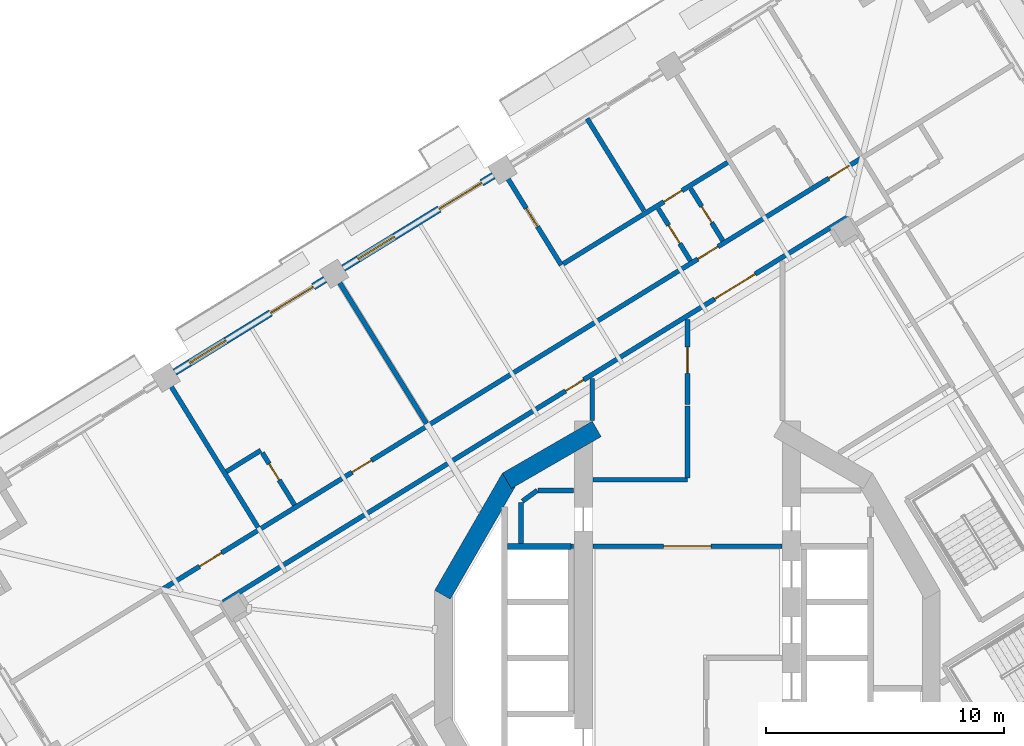
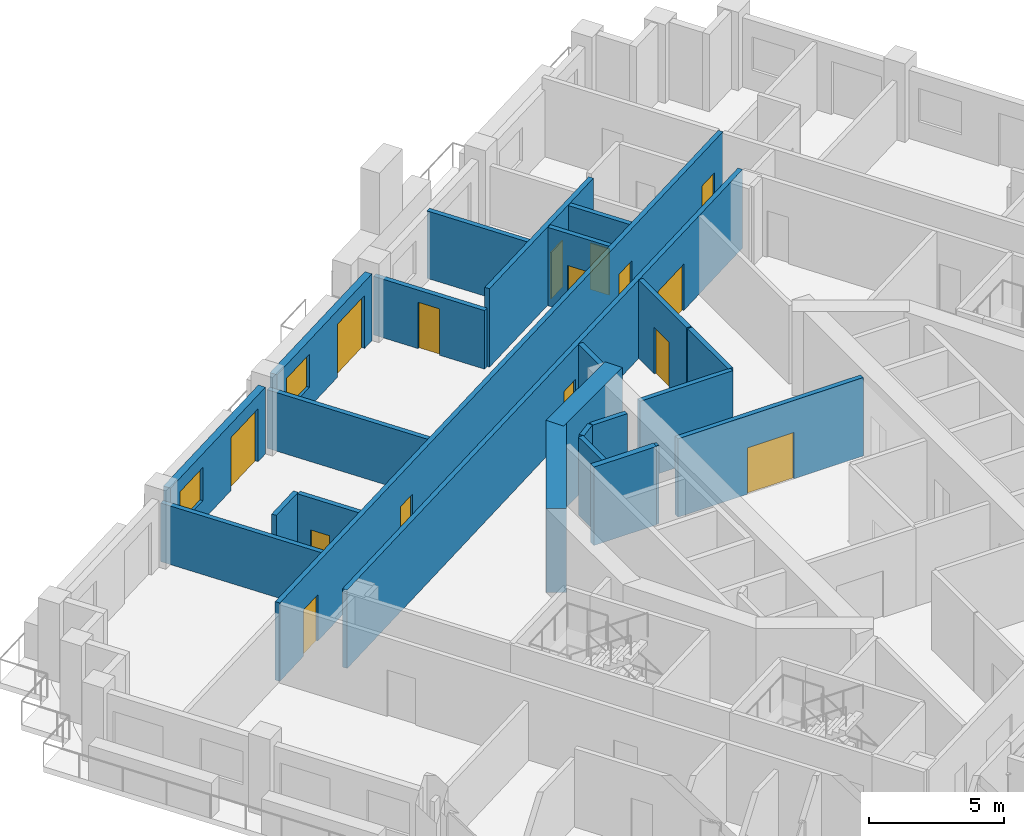
# One storey, part 12 of 22: 25 walls, 15 doors, 2 windows, 17 openings.
"""IFC4 building model written with IfcOpenShell, lengths in metres."""

from ifc_helpers import new_model, si_unit, direction, frame, frame_2d, origin, place, context, subcontext, project, spatial, rectangle, extrude, material, layer, layer_set, type_object, element, fill, save


model = new_model("IFC4")

# Units and contexts
model_context = context("Model", 3, precision=1e-05, world=origin(), true_north=direction((0.0, 1.0)))
body_context = subcontext(model_context, "Body", "Model", "MODEL_VIEW")
ifc_project = project(units=[si_unit("LENGTHUNIT", "METRE"), si_unit("AREAUNIT", "SQUARE_METRE"), si_unit("VOLUMEUNIT", "CUBIC_METRE"), si_unit("PLANEANGLEUNIT", "RADIAN"), si_unit("MASSUNIT", "GRAM", prefix="KILO")], contexts=[model_context])

# Site, building, storey
site_placement = place(None, origin())
site = spatial("IfcSite", under=ifc_project, at=site_placement, CompositionType="ELEMENT")
building_placement = place(site_placement, origin())
building = spatial("IfcBuilding", under=site, at=building_placement, Name="Cantera Rosa Tower", CompositionType="ELEMENT")
storey_placement = place(building_placement, frame((0.0, 0.0, 174.199951171875)))
storey = spatial("IfcBuildingStorey", under=building, at=storey_placement, Name="L38", CompositionType="ELEMENT", Elevation=174.199951171875)

# Wall, opening, door
ifc_material_1 = material(Name="Gypsum board partition")
ifc_layer_1 = layer(ifc_material_1, 0.199951171875)
ifc_layer_set_1 = layer_set([ifc_layer_1], Name="CORRIDOR WALL 200 H3550")
wall_type_1 = type_object("IfcWallType", Name="CORRIDOR WALL 200 H3550", PredefinedType="PARTITIONING", material=ifc_layer_set_1)
wall_1_placement = place(storey_placement, frame((-3.969970703125, 4.699951171875, 0.0), z_axis=(0.0, 0.0, 1.0), x_axis=(1.0, 0.0, 0.0)))
wall_1 = element("IfcWall", 1, at=wall_1_placement, inside=storey, type_object=wall_type_1, Name="CORRIDOR WALL L38-055", PredefinedType="PARTITIONING", context=body_context, shape_type="SweptSolid", body=[
    extrude(rectangle(XDim=7.93994140625, YDim=0.199951171875, at=frame_2d((3.969970703125, 0.0))), origin(), (0.0, 0.0, 1.0), 3.550048828125),
])
opening_1_placement = place(wall_1_placement, frame((2.969970703125, 0.0, 0.0)))
opening_1 = element("IfcOpeningElement", 2, at=opening_1_placement, cuts=wall_1, Name="Opening L38-012", PredefinedType="OPENING", context=body_context, shape_type="SweptSolid", body=[
    extrude(rectangle(XDim=2.0, YDim=2.10009765625, at=frame_2d((1.0, 1.050048828125))), frame((0.0, 0.10986328125, 0.0), z_axis=(0.0, -1.0, 0.0), x_axis=(1.0, 0.0, 0.0)), (0.0, 0.0, 1.0), 0.219970703125),
])
ifc_material_2 = material(Name="Steel S355J2 (EN 10025-2)", Category="steel")
door_type_1 = type_object("IfcDoorType", Name="LOBBY SCREEN DOOR 2000x2100", OperationType="NOTDEFINED", PredefinedType="DOOR", material=ifc_material_2)
door_1_placement = place(opening_1_placement, origin())
door_1 = element("IfcDoor", 3, at=door_1_placement, inside=storey, type_object=door_type_1, Name="DOOR L38-012", OperationType="NOTDEFINED", OverallHeight=2.10009765625, OverallWidth=2.0, PredefinedType="DOOR", context=body_context, shape_type="SweptSolid", body=[
    extrude(rectangle(XDim=2.0, YDim=2.10009765625, at=frame_2d((1.0, 1.050048828125))), frame((0.0, 0.02490234375, 0.0), z_axis=(0.0, -1.0, 0.0), x_axis=(1.0, 0.0, 0.0)), (0.0, 0.0, 1.0), 0.050048828125),
])
fill(opening_1, door_1)

# Walls
wall_2_placement = place(storey_placement, frame((-3.969970703125, 7.5, 0.0), z_axis=(0.0, 0.0, 1.0), x_axis=(1.0, 0.0, 0.0)))
element("IfcWall", 4, at=wall_2_placement, inside=storey, type_object=wall_type_1, Name="CORRIDOR WALL L38-056", PredefinedType="PARTITIONING", context=body_context, shape_type="SweptSolid", body=[
    extrude(rectangle(XDim=3.969970703125, YDim=0.199951171875, at=frame_2d((1.98486328125, 0.0))), origin(), (0.0, 0.0, 1.0), 3.550048828125),
])
wall_3_placement = place(storey_placement, frame((0.0, 7.580078125, 0.0), z_axis=(0.0, 0.0, 1.0), x_axis=(0.0, 1.0, 0.0)))
element("IfcWall", 5, at=wall_3_placement, inside=storey, type_object=wall_type_1, Name="CORRIDOR WALL L38-064", PredefinedType="PARTITIONING", context=body_context, shape_type="SweptSolid", body=[
    extrude(rectangle(XDim=3.01513671875, YDim=0.199951171875, at=frame_2d((1.507568359375, 0.0))), origin(), (0.0, 0.0, 1.0), 3.550048828125),
])

# Wall, opening, door
wall_4_placement = place(storey_placement, frame((0.0, 10.6552734375, 0.0), z_axis=(0.0, 0.0, 1.0), x_axis=(0.0, 1.0, 0.0)))
wall_4 = element("IfcWall", 6, at=wall_4_placement, inside=storey, type_object=wall_type_1, Name="CORRIDOR WALL L38-065", PredefinedType="PARTITIONING", context=body_context, shape_type="SweptSolid", body=[
    extrude(rectangle(XDim=3.57763671875, YDim=0.199951171875, at=frame_2d((1.788818359375, 0.0))), origin(), (0.0, 0.0, 1.0), 3.550048828125),
])
opening_2_placement = place(wall_4_placement, frame((1.31884765625, 0.0, 0.0)))
opening_2 = element("IfcOpeningElement", 7, at=opening_2_placement, cuts=wall_4, Name="Opening L38-016", PredefinedType="OPENING", context=body_context, shape_type="SweptSolid", body=[
    extrude(rectangle(XDim=1.10009765625, YDim=2.10009765625, at=frame_2d((0.550048828125, 1.050048828125))), frame((0.0, 0.10986328125, 0.0), z_axis=(0.0, -1.0, 0.0), x_axis=(1.0, 0.0, 0.0)), (0.0, 0.0, 1.0), 0.219970703125),
])
ifc_material_3 = material(Name="Timber door leaf", Category="wood")
door_type_2 = type_object("IfcDoorType", Name="ROOM DOOR 1100x2100", OperationType="NOTDEFINED", PredefinedType="DOOR", material=ifc_material_3)
door_2_placement = place(opening_2_placement, origin())
door_2 = element("IfcDoor", 8, at=door_2_placement, inside=storey, type_object=door_type_2, Name="DOOR L38-016", OperationType="NOTDEFINED", OverallHeight=2.10009765625, OverallWidth=1.10009765625, PredefinedType="DOOR", context=body_context, shape_type="SweptSolid", body=[
    extrude(rectangle(XDim=1.10009765625, YDim=2.10009765625, at=frame_2d((0.550048828125, 1.050048828125))), frame((0.0, 0.02490234375, 0.0), z_axis=(0.0, -1.0, 0.0), x_axis=(1.0, 0.0, 0.0)), (0.0, 0.0, 1.0), 0.050048828125),
])
fill(opening_2, door_2)

# Wall, openings, doors
wall_5_placement = place(storey_placement, frame((6.76123046875, 18.563232421875, 0.0), z_axis=(0.0, 0.0, 1.0), x_axis=(-0.851115762051, -0.524978056292, 0.0)))
wall_5 = element("IfcWall", 9, at=wall_5_placement, inside=storey, type_object=wall_type_1, Name="CORRIDOR WALL L38-086", PredefinedType="PARTITIONING", context=body_context, shape_type="SweptSolid", body=[
    extrude(rectangle(XDim=30.879638671875, YDim=0.199951171875, at=frame_2d((15.43994140625, 0.0))), origin(), (0.0, 0.0, 1.0), 3.550048828125),
])
opening_3_placement = place(wall_5_placement, frame((13.066650390625, 0.0, 0.0)))
opening_3 = element("IfcOpeningElement", 10, at=opening_3_placement, cuts=wall_5, Name="Opening L38-006", PredefinedType="OPENING", context=body_context, shape_type="SweptSolid", body=[
    extrude(rectangle(XDim=0.89990234375, YDim=2.10009765625, at=frame_2d((0.449951171875, 1.050048828125))), frame((0.0, 0.10986328125, 0.0), z_axis=(0.0, -1.0, 0.0), x_axis=(1.0, 0.0, 0.0)), (0.0, 0.0, 1.0), 0.219970703125),
])
opening_4_placement = place(wall_5_placement, frame((4.59423828125, 0.0, 0.0)))
opening_4 = element("IfcOpeningElement", 11, at=opening_4_placement, cuts=wall_5, Name="Opening L38-011", PredefinedType="OPENING", context=body_context, shape_type="SweptSolid", body=[
    extrude(rectangle(XDim=2.0, YDim=2.10009765625, at=frame_2d((1.0, 1.050048828125))), frame((0.0, 0.10986328125, 0.0), z_axis=(0.0, -1.0, 0.0), x_axis=(1.0, 0.0, 0.0)), (0.0, 0.0, 1.0), 0.219970703125),
])
door_3_placement = place(opening_4_placement, origin())
door_3 = element("IfcDoor", 12, at=door_3_placement, inside=storey, type_object=door_type_1, Name="DOOR L38-011", OperationType="NOTDEFINED", OverallHeight=2.10009765625, OverallWidth=2.0, PredefinedType="DOOR", context=body_context, shape_type="SweptSolid", body=[
    extrude(rectangle(XDim=2.0, YDim=2.10009765625, at=frame_2d((1.0, 1.050048828125))), frame((0.0, 0.02490234375, 0.0), z_axis=(0.0, -1.0, 0.0), x_axis=(1.0, 0.0, 0.0)), (0.0, 0.0, 1.0), 0.050048828125),
])
fill(opening_4, door_3)
ifc_material_4 = material(Name="Timber door leaf", Category="wood")
door_type_3 = type_object("IfcDoorType", Name="SERVICE DOOR 900x2100", OperationType="NOTDEFINED", PredefinedType="DOOR", material=ifc_material_4)
door_4_placement = place(opening_3_placement, origin())
door_4 = element("IfcDoor", 13, at=door_4_placement, inside=storey, type_object=door_type_3, Name="DOOR L38-006", OperationType="NOTDEFINED", OverallHeight=2.10009765625, OverallWidth=0.89990234375, PredefinedType="DOOR", context=body_context, shape_type="SweptSolid", body=[
    extrude(rectangle(XDim=0.89990234375, YDim=2.10009765625, at=frame_2d((0.449951171875, 1.050048828125))), frame((0.0, 0.02490234375, 0.0), z_axis=(0.0, -1.0, 0.0), x_axis=(1.0, 0.0, 0.0)), (0.0, 0.0, 1.0), 0.050048828125),
])
fill(opening_3, door_4)

wall_6_placement = place(storey_placement, frame((7.348388671875, 21.040283203125, 0.0), z_axis=(0.0, 0.0, 1.0), x_axis=(-0.85111711572, -0.524975861662, 0.0)))
wall_6 = element("IfcWall", 14, at=wall_6_placement, inside=storey, type_object=wall_type_1, Name="CORRIDOR WALL L38-090", PredefinedType="PARTITIONING", context=body_context, shape_type="SweptSolid", body=[
    extrude(rectangle(XDim=34.599853515625, YDim=0.199951171875, at=frame_2d((17.2998046875, 0.0))), origin(), (0.0, 0.0, 1.0), 3.550048828125),
])
opening_5_placement = place(wall_6_placement, frame((7.1201171875, 0.0, 0.0)))
opening_5 = element("IfcOpeningElement", 15, at=opening_5_placement, cuts=wall_6, Name="Opening L38-032", PredefinedType="OPENING", context=body_context, shape_type="SweptSolid", body=[
    extrude(rectangle(XDim=1.0, YDim=2.10009765625, at=frame_2d((0.5, 1.050048828125))), frame((0.0, 0.10986328125, 0.0), z_axis=(0.0, -1.0, 0.0), x_axis=(1.0, 0.0, 0.0)), (0.0, 0.0, 1.0), 0.219970703125),
])
opening_6_placement = place(wall_6_placement, frame((24.2451171875, 0.0, 0.0)))
opening_6 = element("IfcOpeningElement", 16, at=opening_6_placement, cuts=wall_6, Name="Opening L38-037", PredefinedType="OPENING", context=body_context, shape_type="SweptSolid", body=[
    extrude(rectangle(XDim=0.949951171875, YDim=2.10009765625, at=frame_2d((0.47509765625, 1.050048828125))), frame((0.0, 0.10986328125, 0.0), z_axis=(0.0, -1.0, 0.0), x_axis=(1.0, 0.0, 0.0)), (0.0, 0.0, 1.0), 0.219970703125),
])
opening_7_placement = place(wall_6_placement, frame((0.64990234375, 0.0, 0.0)))
opening_7 = element("IfcOpeningElement", 17, at=opening_7_placement, cuts=wall_6, Name="Opening L38-039", PredefinedType="OPENING", context=body_context, shape_type="SweptSolid", body=[
    extrude(rectangle(XDim=1.0, YDim=2.10009765625, at=frame_2d((0.5, 1.050048828125))), frame((0.0, 0.10986328125, 0.0), z_axis=(0.0, -1.0, 0.0), x_axis=(1.0, 0.0, 0.0)), (0.0, 0.0, 1.0), 0.219970703125),
])
opening_8_placement = place(wall_6_placement, frame((31.639892578125, 0.0, 0.0)))
opening_8 = element("IfcOpeningElement", 18, at=opening_8_placement, cuts=wall_6, Name="Opening L38-042", PredefinedType="OPENING", context=body_context, shape_type="SweptSolid", body=[
    extrude(rectangle(XDim=1.10009765625, YDim=2.10009765625, at=frame_2d((0.550048828125, 1.050048828125))), frame((0.0, 0.10986328125, 0.0), z_axis=(0.0, -1.0, 0.0), x_axis=(1.0, 0.0, 0.0)), (0.0, 0.0, 1.0), 0.219970703125),
])
ifc_material_5 = material(Name="Timber door leaf", Category="wood")
door_type_4 = type_object("IfcDoorType", Name="ENTRANCE DOOR 1000x2100", OperationType="NOTDEFINED", PredefinedType="DOOR", material=ifc_material_5)
door_5_placement = place(opening_5_placement, origin())
door_5 = element("IfcDoor", 19, at=door_5_placement, inside=storey, type_object=door_type_4, Name="DOOR L38-032", OperationType="NOTDEFINED", OverallHeight=2.10009765625, OverallWidth=1.0, PredefinedType="DOOR", context=body_context, shape_type="SweptSolid", body=[
    extrude(rectangle(XDim=1.0, YDim=2.10009765625, at=frame_2d((0.5, 1.050048828125))), frame((0.0, 0.02490234375, 0.0), z_axis=(0.0, -1.0, 0.0), x_axis=(1.0, 0.0, 0.0)), (0.0, 0.0, 1.0), 0.050048828125),
])
fill(opening_5, door_5)
door_6_placement = place(opening_7_placement, origin())
door_6 = element("IfcDoor", 20, at=door_6_placement, inside=storey, type_object=door_type_4, Name="DOOR L38-039", OperationType="NOTDEFINED", OverallHeight=2.10009765625, OverallWidth=1.0, PredefinedType="DOOR", context=body_context, shape_type="SweptSolid", body=[
    extrude(rectangle(XDim=1.0, YDim=2.10009765625, at=frame_2d((0.5, 1.050048828125))), frame((0.0, 0.02490234375, 0.0), z_axis=(0.0, -1.0, 0.0), x_axis=(1.0, 0.0, 0.0)), (0.0, 0.0, 1.0), 0.050048828125),
])
fill(opening_7, door_6)
door_7_placement = place(opening_8_placement, origin())
door_7 = element("IfcDoor", 21, at=door_7_placement, inside=storey, type_object=door_type_2, Name="DOOR L38-042", OperationType="NOTDEFINED", OverallHeight=2.10009765625, OverallWidth=1.10009765625, PredefinedType="DOOR", context=body_context, shape_type="SweptSolid", body=[
    extrude(rectangle(XDim=1.10009765625, YDim=2.10009765625, at=frame_2d((0.550048828125, 1.050048828125))), frame((0.0, 0.02490234375, 0.0), z_axis=(0.0, -1.0, 0.0), x_axis=(1.0, 0.0, 0.0)), (0.0, 0.0, 1.0), 0.050048828125),
])
fill(opening_8, door_7)
ifc_material_6 = material(Name="Timber door leaf", Category="wood")
door_type_5 = type_object("IfcDoorType", Name="ROOM DOOR 950x2100", OperationType="NOTDEFINED", PredefinedType="DOOR", material=ifc_material_6)
door_8_placement = place(opening_6_placement, origin())
door_8 = element("IfcDoor", 22, at=door_8_placement, inside=storey, type_object=door_type_5, Name="DOOR L38-037", OperationType="NOTDEFINED", OverallHeight=2.10009765625, OverallWidth=0.949951171875, PredefinedType="DOOR", context=body_context, shape_type="SweptSolid", body=[
    extrude(rectangle(XDim=0.949951171875, YDim=2.10009765625, at=frame_2d((0.47509765625, 1.050048828125))), frame((0.0, 0.02490234375, 0.0), z_axis=(0.0, -1.0, 0.0), x_axis=(1.0, 0.0, 0.0)), (0.0, 0.0, 1.0), 0.050048828125),
])
fill(opening_6, door_8)

# Wall, openings, window, door
ifc_material_7 = material(Name="Hollow clay masonry with cantera stone cladding", Category="masonry")
ifc_layer_2 = layer(ifc_material_7, 0.300048828125)
ifc_layer_set_2 = layer_set([ifc_layer_2], Name="EW-LOGGIA 300 H3020")
wall_type_2 = type_object("IfcWallType", Name="EW-LOGGIA 300 H3020", PredefinedType="SOLIDWALL", material=ifc_layer_set_2)
wall_7_placement = place(storey_placement, frame((-8.155517578125, 20.289306640625, 0.0), z_axis=(0.0, 0.0, 1.0), x_axis=(-0.851111085575, -0.524985637909, 0.0)))
wall_7 = element("IfcWall", 23, at=wall_7_placement, inside=storey, type_object=wall_type_2, Name="EN-L38-W10", PredefinedType="SOLIDWALL", context=body_context, shape_type="SweptSolid", body=[
    extrude(rectangle(XDim=7.420166015625, YDim=0.300048828125, at=frame_2d((3.7099609375, 0.0))), origin(), (0.0, 0.0, 1.0), 3.02001953125),
])
opening_9_placement = place(wall_7_placement, frame((0.580078125, 0.0, 0.0)))
opening_9 = element("IfcOpeningElement", 24, at=opening_9_placement, cuts=wall_7, Name="Opening L38-TD15", PredefinedType="OPENING", context=body_context, shape_type="SweptSolid", body=[
    extrude(rectangle(XDim=2.10009765625, YDim=2.39990234375, at=frame_2d((1.050048828125, 1.199951171875))), frame((0.0, 0.159912109375, 0.0), z_axis=(0.0, -1.0, 0.0), x_axis=(1.0, 0.0, 0.0)), (0.0, 0.0, 1.0), 0.320068359375),
])
opening_10_placement = place(wall_7_placement, frame((4.889892578125, 0.0, 0.89990234375)))
opening_10 = element("IfcOpeningElement", 25, at=opening_10_placement, cuts=wall_7, Name="Opening L38-W16", PredefinedType="OPENING", context=body_context, shape_type="SweptSolid", body=[
    extrude(rectangle(XDim=1.800048828125, YDim=1.5, at=frame_2d((0.89990234375, 0.75))), frame((0.0, 0.159912109375, 0.0), z_axis=(0.0, -1.0, 0.0), x_axis=(1.0, 0.0, 0.0)), (0.0, 0.0, 1.0), 0.320068359375),
])
ifc_material_8 = material(Name="Aluminium frame with clear glass", Category="aluminium")
window_type = type_object("IfcWindowType", Name="Hotel room window 1800x1500", PartitioningType="DOUBLE_PANEL_VERTICAL", PredefinedType="WINDOW", material=ifc_material_8)
window_1_placement = place(opening_10_placement, origin())
window_1 = element("IfcWindow", 26, at=window_1_placement, inside=storey, type_object=window_type, Name="WINDOW L38-W16", OverallHeight=1.5, OverallWidth=1.800048828125, PartitioningType="SINGLE_PANEL", PredefinedType="WINDOW", context=body_context, shape_type="SweptSolid", body=[
    extrude(rectangle(XDim=1.800048828125, YDim=1.5, at=frame_2d((0.89990234375, 0.75))), frame((0.0, 0.030029296875, 0.0), z_axis=(0.0, -1.0, 0.0), x_axis=(1.0, 0.0, 0.0)), (0.0, 0.0, 1.0), 0.06005859375),
])
fill(opening_10, window_1)
ifc_material_9 = material(Name="Aluminium frame with clear glass", Category="aluminium")
door_type_6 = type_object("IfcDoorType", Name="TD-H 2100x2400", OperationType="NOTDEFINED", PredefinedType="DOOR", material=ifc_material_9)
door_9_placement = place(opening_9_placement, origin())
door_9 = element("IfcDoor", 27, at=door_9_placement, inside=storey, type_object=door_type_6, Name="LOGGIA DOOR L38-TD15", OperationType="SLIDING_TO_LEFT", OverallHeight=2.39990234375, OverallWidth=2.10009765625, PredefinedType="DOOR", context=body_context, shape_type="SweptSolid", body=[
    extrude(rectangle(XDim=2.10009765625, YDim=2.39990234375, at=frame_2d((1.050048828125, 1.199951171875))), frame((0.0, 0.02490234375, 0.0), z_axis=(0.0, -1.0, 0.0), x_axis=(1.0, 0.0, 0.0)), (0.0, 0.0, 1.0), 0.050048828125),
])
fill(opening_9, door_9)

wall_8_placement = place(storey_placement, frame((-15.23681640625, 15.92138671875, 0.0), z_axis=(0.0, 0.0, 1.0), x_axis=(-0.85112578684, -0.524961803349, 0.0)))
wall_8 = element("IfcWall", 28, at=wall_8_placement, inside=storey, type_object=wall_type_2, Name="EN-L38-W11", PredefinedType="SOLIDWALL", context=body_context, shape_type="SweptSolid", body=[
    extrude(rectangle(XDim=7.420166015625, YDim=0.300048828125, at=frame_2d((3.7099609375, 0.0))), origin(), (0.0, 0.0, 1.0), 3.02001953125),
])
opening_11_placement = place(wall_8_placement, frame((0.580078125, 0.0, 0.0)))
opening_11 = element("IfcOpeningElement", 29, at=opening_11_placement, cuts=wall_8, Name="Opening L38-TD17", PredefinedType="OPENING", context=body_context, shape_type="SweptSolid", body=[
    extrude(rectangle(XDim=2.10009765625, YDim=2.39990234375, at=frame_2d((1.050048828125, 1.199951171875))), frame((0.0, 0.159912109375, 0.0), z_axis=(0.0, -1.0, 0.0), x_axis=(1.0, 0.0, 0.0)), (0.0, 0.0, 1.0), 0.320068359375),
])
opening_12_placement = place(wall_8_placement, frame((4.889892578125, 0.0, 0.89990234375)))
opening_12 = element("IfcOpeningElement", 30, at=opening_12_placement, cuts=wall_8, Name="Opening L38-W18", PredefinedType="OPENING", context=body_context, shape_type="SweptSolid", body=[
    extrude(rectangle(XDim=1.800048828125, YDim=1.5, at=frame_2d((0.89990234375, 0.75))), frame((0.0, 0.159912109375, 0.0), z_axis=(0.0, -1.0, 0.0), x_axis=(1.0, 0.0, 0.0)), (0.0, 0.0, 1.0), 0.320068359375),
])
window_2_placement = place(opening_12_placement, origin())
window_2 = element("IfcWindow", 31, at=window_2_placement, inside=storey, type_object=window_type, Name="WINDOW L38-W18", OverallHeight=1.5, OverallWidth=1.800048828125, PartitioningType="SINGLE_PANEL", PredefinedType="WINDOW", context=body_context, shape_type="SweptSolid", body=[
    extrude(rectangle(XDim=1.800048828125, YDim=1.5, at=frame_2d((0.89990234375, 0.75))), frame((0.0, 0.030029296875, 0.0), z_axis=(0.0, -1.0, 0.0), x_axis=(1.0, 0.0, 0.0)), (0.0, 0.0, 1.0), 0.06005859375),
])
fill(opening_12, window_2)
door_10_placement = place(opening_11_placement, origin())
door_10 = element("IfcDoor", 32, at=door_10_placement, inside=storey, type_object=door_type_6, Name="LOGGIA DOOR L38-TD17", OperationType="SLIDING_TO_LEFT", OverallHeight=2.39990234375, OverallWidth=2.10009765625, PredefinedType="DOOR", context=body_context, shape_type="SweptSolid", body=[
    extrude(rectangle(XDim=2.10009765625, YDim=2.39990234375, at=frame_2d((1.050048828125, 1.199951171875))), frame((0.0, 0.02490234375, 0.0), z_axis=(0.0, -1.0, 0.0), x_axis=(1.0, 0.0, 0.0)), (0.0, 0.0, 1.0), 0.050048828125),
])
fill(opening_11, door_10)

# Wall, opening, door
ifc_material_10 = material(Name="Gypsum board partition")
ifc_layer_3 = layer(ifc_material_10, 0.199951171875)
ifc_layer_set_3 = layer_set([ifc_layer_3], Name="PARTITION 200 H2650")
wall_type_3 = type_object("IfcWallType", Name="PARTITION 200 H2650", PredefinedType="PARTITIONING", material=ifc_layer_set_3)
wall_9_placement = place(storey_placement, frame((-5.30517578125, 16.525146484375, 0.0), z_axis=(0.0, 0.0, 1.0), x_axis=(-0.524966343151, 0.851122986741, 0.0)))
wall_9 = element("IfcWall", 33, at=wall_9_placement, inside=storey, type_object=wall_type_3, Name="PARTITION L38-046", PredefinedType="PARTITIONING", context=body_context, shape_type="SweptSolid", body=[
    extrude(rectangle(XDim=4.670166015625, YDim=0.199951171875, at=frame_2d((2.3349609375, 0.0))), origin(), (0.0, 0.0, 1.0), 2.650146484375),
])
opening_13_placement = place(wall_9_placement, frame((1.89990234375, 0.0, 0.0)))
opening_13 = element("IfcOpeningElement", 34, at=opening_13_placement, cuts=wall_9, Name="Opening L38-036", PredefinedType="OPENING", context=body_context, shape_type="SweptSolid", body=[
    extrude(rectangle(XDim=0.89990234375, YDim=2.10009765625, at=frame_2d((0.449951171875, 1.050048828125))), frame((0.0, 0.10986328125, 0.0), z_axis=(0.0, -1.0, 0.0), x_axis=(1.0, 0.0, 0.0)), (0.0, 0.0, 1.0), 0.219970703125),
])
ifc_material_11 = material(Name="Timber door leaf", Category="wood")
door_type_7 = type_object("IfcDoorType", Name="ROOM DOOR 900x2100", OperationType="NOTDEFINED", PredefinedType="DOOR", material=ifc_material_11)
door_11_placement = place(opening_13_placement, origin())
door_11 = element("IfcDoor", 35, at=door_11_placement, inside=storey, type_object=door_type_7, Name="DOOR L38-036", OperationType="NOTDEFINED", OverallHeight=2.10009765625, OverallWidth=0.89990234375, PredefinedType="DOOR", context=body_context, shape_type="SweptSolid", body=[
    extrude(rectangle(XDim=0.89990234375, YDim=2.10009765625, at=frame_2d((0.449951171875, 1.050048828125))), frame((0.0, 0.02490234375, 0.0), z_axis=(0.0, -1.0, 0.0), x_axis=(1.0, 0.0, 0.0)), (0.0, 0.0, 1.0), 0.050048828125),
])
fill(opening_13, door_11)

# Walls
ifc_material_12 = material(Name="Gypsum board partition")
ifc_layer_4 = layer(ifc_material_12, 0.199951171875)
ifc_layer_set_4 = layer_set([ifc_layer_4], Name="PARTITION 200 H3050")
wall_type_4 = type_object("IfcWallType", Name="PARTITION 200 H3050", PredefinedType="PARTITIONING", material=ifc_layer_set_4)
wall_10_placement = place(storey_placement, frame((-1.82763671875, 18.811279296875, 0.0), z_axis=(0.0, 0.0, 1.0), x_axis=(-0.524983293877, 0.851112531426, 0.0)))
element("IfcWall", 36, at=wall_10_placement, inside=storey, type_object=wall_type_4, Name="PARTITION L38-059", PredefinedType="PARTITIONING", context=body_context, shape_type="SweptSolid", body=[
    extrude(rectangle(XDim=4.550048828125, YDim=0.199951171875, at=frame_2d((2.27490234375, 0.0))), origin(), (0.0, 0.0, 1.0), 3.050048828125),
])
ifc_material_13 = material(Name="Gypsum board partition")
ifc_layer_5 = layer(ifc_material_13, 0.199951171875)
ifc_layer_set_5 = layer_set([ifc_layer_5], Name="PARTITION 200 H3550")
wall_type_5 = type_object("IfcWallType", Name="PARTITION 200 H3550", PredefinedType="PARTITIONING", material=ifc_layer_set_5)
wall_11_placement = place(storey_placement, frame((-19.3828125, 7.842041015625, 0.0), z_axis=(0.0, 0.0, 1.0), x_axis=(0.851105638601, 0.524994468487, 0.0)))
element("IfcWall", 37, at=wall_11_placement, inside=storey, type_object=wall_type_5, Name="PARTITION L38-006", PredefinedType="PARTITIONING", context=body_context, shape_type="SweptSolid", body=[
    extrude(rectangle(XDim=1.7001953125, YDim=0.199951171875, at=frame_2d((0.85009765625, 0.0))), origin(), (0.0, 0.0, 1.0), 3.550048828125),
])

# Wall, opening, door
wall_12_placement = place(storey_placement, frame((-17.872802734375, 8.63232421875, 0.0), z_axis=(0.0, 0.0, 1.0), x_axis=(0.525005247362, -0.851098989685, 0.0)))
wall_12 = element("IfcWall", 38, at=wall_12_placement, inside=storey, type_object=wall_type_5, Name="PARTITION L38-010", PredefinedType="PARTITIONING", context=body_context, shape_type="SweptSolid", body=[
    extrude(rectangle(XDim=2.580078125, YDim=0.199951171875, at=frame_2d((1.2900390625, 0.0))), origin(), (0.0, 0.0, 1.0), 3.550048828125),
])
opening_14_placement = place(wall_12_placement, frame((0.5439453125, 0.0, 0.0)))
opening_14 = element("IfcOpeningElement", 39, at=opening_14_placement, cuts=wall_12, Name="Opening L38-038", PredefinedType="OPENING", context=body_context, shape_type="SweptSolid", body=[
    extrude(rectangle(XDim=0.800048828125, YDim=2.10009765625, at=frame_2d((0.39990234375, 1.050048828125))), frame((0.0, 0.10986328125, 0.0), z_axis=(0.0, -1.0, 0.0), x_axis=(1.0, 0.0, 0.0)), (0.0, 0.0, 1.0), 0.219970703125),
])
ifc_material_14 = material(Name="Timber door leaf", Category="wood")
door_type_8 = type_object("IfcDoorType", Name="BATHROOM DOOR 800x2100", OperationType="NOTDEFINED", PredefinedType="DOOR", material=ifc_material_14)
door_12_placement = place(opening_14_placement, origin())
door_12 = element("IfcDoor", 40, at=door_12_placement, inside=storey, type_object=door_type_8, Name="DOOR L38-038", OperationType="NOTDEFINED", OverallHeight=2.10009765625, OverallWidth=0.800048828125, PredefinedType="DOOR", context=body_context, shape_type="SweptSolid", body=[
    extrude(rectangle(XDim=0.800048828125, YDim=2.10009765625, at=frame_2d((0.39990234375, 1.050048828125))), frame((0.0, 0.02490234375, 0.0), z_axis=(0.0, -1.0, 0.0), x_axis=(1.0, 0.0, 0.0)), (0.0, 0.0, 1.0), 0.050048828125),
])
fill(opening_14, door_12)

# Walls
wall_13_placement = place(storey_placement, frame((-7.0, 4.824951171875, 0.0), z_axis=(0.0, 0.0, 1.0), x_axis=(0.0, 1.0, 0.0)))
element("IfcWall", 41, at=wall_13_placement, inside=storey, type_object=wall_type_5, Name="PARTITION L38-040", PredefinedType="PARTITIONING", context=body_context, shape_type="SweptSolid", body=[
    extrude(rectangle(XDim=1.72509765625, YDim=0.199951171875, at=frame_2d((0.862548828125, 0.0))), origin(), (0.0, 0.0, 1.0), 3.550048828125),
])
wall_14_placement = place(storey_placement, frame((-6.935302734375, 6.59716796875, 0.0), z_axis=(0.0, 0.0, 1.0), x_axis=(0.808227862651, 0.588869868506, 0.0)))
element("IfcWall", 42, at=wall_14_placement, inside=storey, type_object=wall_type_5, Name="PARTITION L38-041", PredefinedType="PARTITIONING", context=body_context, shape_type="SweptSolid", body=[
    extrude(rectangle(XDim=0.76904296875, YDim=0.199951171875, at=frame_2d((0.384521484375, 0.0))), origin(), (0.0, 0.0, 1.0), 3.550048828125),
])
wall_15_placement = place(storey_placement, frame((-6.273681640625, 7.050048828125, 0.0), z_axis=(0.0, 0.0, 1.0), x_axis=(1.0, 0.0, 0.0)))
element("IfcWall", 43, at=wall_15_placement, inside=storey, type_object=wall_type_5, Name="PARTITION L38-044", PredefinedType="PARTITIONING", context=body_context, shape_type="SweptSolid", body=[
    extrude(rectangle(XDim=1.49365234375, YDim=0.199951171875, at=frame_2d((0.746826171875, 0.0))), origin(), (0.0, 0.0, 1.0), 3.550048828125),
])
wall_16_placement = place(storey_placement, frame((-4.780029296875, 4.699951171875, 0.0), z_axis=(0.0, 0.0, 1.0), x_axis=(-1.0, 0.0, 0.0)))
element("IfcWall", 44, at=wall_16_placement, inside=storey, type_object=wall_type_5, Name="PARTITION L38-050", PredefinedType="PARTITIONING", context=body_context, shape_type="SweptSolid", body=[
    extrude(rectangle(XDim=0.119873046875, YDim=0.199951171875, at=frame_2d((0.06005859375, 0.0))), origin(), (0.0, 0.0, 1.0), 3.550048828125),
])
wall_17_placement = place(storey_placement, frame((-4.0, 11.765625, 0.0), z_axis=(0.0, 0.0, 1.0), x_axis=(0.0, -1.0, 0.0)))
element("IfcWall", 45, at=wall_17_placement, inside=storey, type_object=wall_type_5, Name="PARTITION L38-054", PredefinedType="PARTITIONING", context=body_context, shape_type="SweptSolid", body=[
    extrude(rectangle(XDim=1.771484375, YDim=0.199951171875, at=frame_2d((0.8857421875, 0.0))), origin(), (0.0, 0.0, 1.0), 3.550048828125),
])

# Wall, opening, door
wall_18_placement = place(storey_placement, frame((0.12939453125, 16.705078125, 0.0), z_axis=(0.0, 0.0, 1.0), x_axis=(-0.524936695429, 0.851141272523, 0.0)))
wall_18 = element("IfcWall", 46, at=wall_18_placement, inside=storey, type_object=wall_type_5, Name="PARTITION L38-066", PredefinedType="PARTITIONING", context=body_context, shape_type="SweptSolid", body=[
    extrude(rectangle(XDim=2.579833984375, YDim=0.199951171875, at=frame_2d((1.2900390625, 0.0))), origin(), (0.0, 0.0, 1.0), 3.550048828125),
])
opening_15_placement = place(wall_18_placement, frame((0.85009765625, 0.0, 0.0)))
opening_15 = element("IfcOpeningElement", 47, at=opening_15_placement, cuts=wall_18, Name="Opening L38-034", PredefinedType="OPENING", context=body_context, shape_type="SweptSolid", body=[
    extrude(rectangle(XDim=0.89990234375, YDim=2.10009765625, at=frame_2d((0.449951171875, 1.050048828125))), frame((0.0, 0.10986328125, 0.0), z_axis=(0.0, -1.0, 0.0), x_axis=(1.0, 0.0, 0.0)), (0.0, 0.0, 1.0), 0.219970703125),
])
door_13_placement = place(opening_15_placement, origin())
door_13 = element("IfcDoor", 48, at=door_13_placement, inside=storey, type_object=door_type_7, Name="DOOR L38-034", OperationType="NOTDEFINED", OverallHeight=2.10009765625, OverallWidth=0.89990234375, PredefinedType="DOOR", context=body_context, shape_type="SweptSolid", body=[
    extrude(rectangle(XDim=0.89990234375, YDim=2.10009765625, at=frame_2d((0.449951171875, 1.050048828125))), frame((0.0, 0.02490234375, 0.0), z_axis=(0.0, -1.0, 0.0), x_axis=(1.0, 0.0, 0.0)), (0.0, 0.0, 1.0), 0.050048828125),
])
fill(opening_15, door_13)

wall_19_placement = place(storey_placement, frame((1.4912109375, 17.545166015625, 0.0), z_axis=(0.0, 0.0, 1.0), x_axis=(-0.525005247362, 0.851098989685, 0.0)))
wall_19 = element("IfcWall", 49, at=wall_19_placement, inside=storey, type_object=wall_type_5, Name="PARTITION L38-070", PredefinedType="PARTITIONING", context=body_context, shape_type="SweptSolid", body=[
    extrude(rectangle(XDim=2.580078125, YDim=0.199951171875, at=frame_2d((1.2900390625, 0.0))), origin(), (0.0, 0.0, 1.0), 3.550048828125),
])
opening_16_placement = place(wall_19_placement, frame((0.89990234375, 0.0, 0.0)))
opening_16 = element("IfcOpeningElement", 50, at=opening_16_placement, cuts=wall_19, Name="Opening L38-033", PredefinedType="OPENING", context=body_context, shape_type="SweptSolid", body=[
    extrude(rectangle(XDim=0.800048828125, YDim=2.10009765625, at=frame_2d((0.39990234375, 1.050048828125))), frame((0.0, 0.10986328125, 0.0), z_axis=(0.0, -1.0, 0.0), x_axis=(1.0, 0.0, 0.0)), (0.0, 0.0, 1.0), 0.219970703125),
])
door_14_placement = place(opening_16_placement, origin())
door_14 = element("IfcDoor", 51, at=door_14_placement, inside=storey, type_object=door_type_8, Name="DOOR L38-033", OperationType="NOTDEFINED", OverallHeight=2.10009765625, OverallWidth=0.800048828125, PredefinedType="DOOR", context=body_context, shape_type="SweptSolid", body=[
    extrude(rectangle(XDim=0.800048828125, YDim=2.10009765625, at=frame_2d((0.39990234375, 1.050048828125))), frame((0.0, 0.02490234375, 0.0), z_axis=(0.0, -1.0, 0.0), x_axis=(1.0, 0.0, 0.0)), (0.0, 0.0, 1.0), 0.050048828125),
])
fill(opening_16, door_14)

wall_20_placement = place(storey_placement, frame((1.69091796875, 20.840576171875, 0.0), z_axis=(0.0, 0.0, 1.0), x_axis=(-0.851111760711, -0.524984543372, 0.0)))
wall_20 = element("IfcWall", 52, at=wall_20_placement, inside=storey, type_object=wall_type_5, Name="PARTITION L38-072", PredefinedType="PARTITIONING", context=body_context, shape_type="SweptSolid", body=[
    extrude(rectangle(XDim=8.1201171875, YDim=0.199951171875, at=frame_2d((4.06005859375, 0.0))), origin(), (0.0, 0.0, 1.0), 3.550048828125),
])
opening_17_placement = place(wall_20_placement, frame((2.25, 0.0, 0.0)))
opening_17 = element("IfcOpeningElement", 53, at=opening_17_placement, cuts=wall_20, Name="Opening L38-035", PredefinedType="OPENING", context=body_context, shape_type="SweptSolid", body=[
    extrude(rectangle(XDim=0.89990234375, YDim=2.10009765625, at=frame_2d((0.449951171875, 1.050048828125))), frame((0.0, 0.10986328125, 0.0), z_axis=(0.0, -1.0, 0.0), x_axis=(1.0, 0.0, 0.0)), (0.0, 0.0, 1.0), 0.219970703125),
])
door_15_placement = place(opening_17_placement, origin())
door_15 = element("IfcDoor", 54, at=door_15_placement, inside=storey, type_object=door_type_7, Name="DOOR L38-035", OperationType="NOTDEFINED", OverallHeight=2.10009765625, OverallWidth=0.89990234375, PredefinedType="DOOR", context=body_context, shape_type="SweptSolid", body=[
    extrude(rectangle(XDim=0.89990234375, YDim=2.10009765625, at=frame_2d((0.449951171875, 1.050048828125))), frame((0.0, 0.02490234375, 0.0), z_axis=(0.0, -1.0, 0.0), x_axis=(1.0, 0.0, 0.0)), (0.0, 0.0, 1.0), 0.050048828125),
])
fill(opening_17, door_15)

# Walls
ifc_material_15 = material(Name="Gypsum board partition")
ifc_layer_6 = layer(ifc_material_15, 0.199951171875)
ifc_layer_set_6 = layer_set([ifc_layer_6], Name="PARTY WALL 200 H2650")
wall_type_6 = type_object("IfcWallType", Name="PARTY WALL 200 H2650", PredefinedType="PARTITIONING", material=ifc_layer_set_6)
for number, where, z_axis, x_axis, name in (
    (55, (-18.05029296875, 5.49169921875, 0.0), (0.0, 0.0, 1.0), (-0.52498429839, 0.851111911821, 0.0), "PARTY WALL L38-009"),
    (56, (-10.968994140625, 9.859375, 0.0), (0.0, 0.0, 1.0), (-0.52498429839, 0.851111911821, 0.0), "PARTY WALL L38-022"),
):
    element("IfcWall", number, at=place(storey_placement, frame(where, z_axis=z_axis, x_axis=x_axis)), inside=storey, type_object=wall_type_6, Name=name, PredefinedType="PARTITIONING", context=body_context, shape_type="SweptSolid", body=[
        extrude(rectangle(XDim=7.3701171875, YDim=0.199951171875, at=frame_2d((3.68505859375, 0.0))), origin(), (0.0, 0.0, 1.0), 2.650146484375),
    ])
ifc_material_16 = material(Name="Concrete C60/75", Category="concrete")
ifc_layer_7 = layer(ifc_material_16, 0.75)
ifc_layer_set_7 = layer_set([ifc_layer_7], Name="RC CORE WALL 750 C60/75")
wall_type_7 = type_object("IfcWallType", Name="RC CORE WALL 750 C60/75", PredefinedType="SHEAR", material=ifc_layer_set_7)
wall_21_placement = place(storey_placement, frame((-10.300537109375, 2.659423828125, 0.0), z_axis=(0.0, 0.0, 1.0), x_axis=(0.500021842983, 0.866012792365, 0.0)))
element("IfcWall", 57, at=wall_21_placement, inside=storey, type_object=wall_type_7, Name="CW-W4 L38", PredefinedType="SHEAR", context=body_context, shape_type="SweptSolid", body=[
    extrude(rectangle(XDim=5.694091796875, YDim=0.75, at=frame_2d((2.84716796875, 0.0))), origin(), (0.0, 0.0, 1.0), 3.800048828125),
])
wall_22_placement = place(storey_placement, frame((-7.590576171875, 7.453369140625, 0.0), z_axis=(0.0, 0.0, 1.0), x_axis=(0.866013176292, 0.50002117804, 0.0)))
element("IfcWall", 58, at=wall_22_placement, inside=storey, type_object=wall_type_7, Name="CW-W5 L38", PredefinedType="SHEAR", context=body_context, shape_type="SweptSolid", body=[
    extrude(rectangle(XDim=4.362548828125, YDim=0.75, at=frame_2d((2.18115234375, 0.0))), origin(), (0.0, 0.0, 1.0), 3.800048828125),
])
ifc_material_17 = material(Name="Masonry blockwork", Category="masonry")
ifc_layer_8 = layer(ifc_material_17, 0.25)
ifc_layer_set_8 = layer_set([ifc_layer_8], Name="SHAFT WALL 250 H3550")
wall_type_8 = type_object("IfcWallType", Name="SHAFT WALL 250 H3550", PredefinedType="SOLIDWALL", material=ifc_layer_set_8)
wall_23_placement = place(storey_placement, frame((-7.574951171875, 4.699951171875, 0.0), z_axis=(0.0, 0.0, 1.0), x_axis=(1.0, 0.0, 0.0)))
element("IfcWall", 59, at=wall_23_placement, inside=storey, type_object=wall_type_8, Name="SHAFT WALL L38-032", PredefinedType="SOLIDWALL", context=body_context, shape_type="SweptSolid", body=[
    extrude(rectangle(XDim=2.675048828125, YDim=0.25, at=frame_2d((1.33740234375, 0.0))), origin(), (0.0, 0.0, 1.0), 3.550048828125),
])

save(model, "model.ifc")
